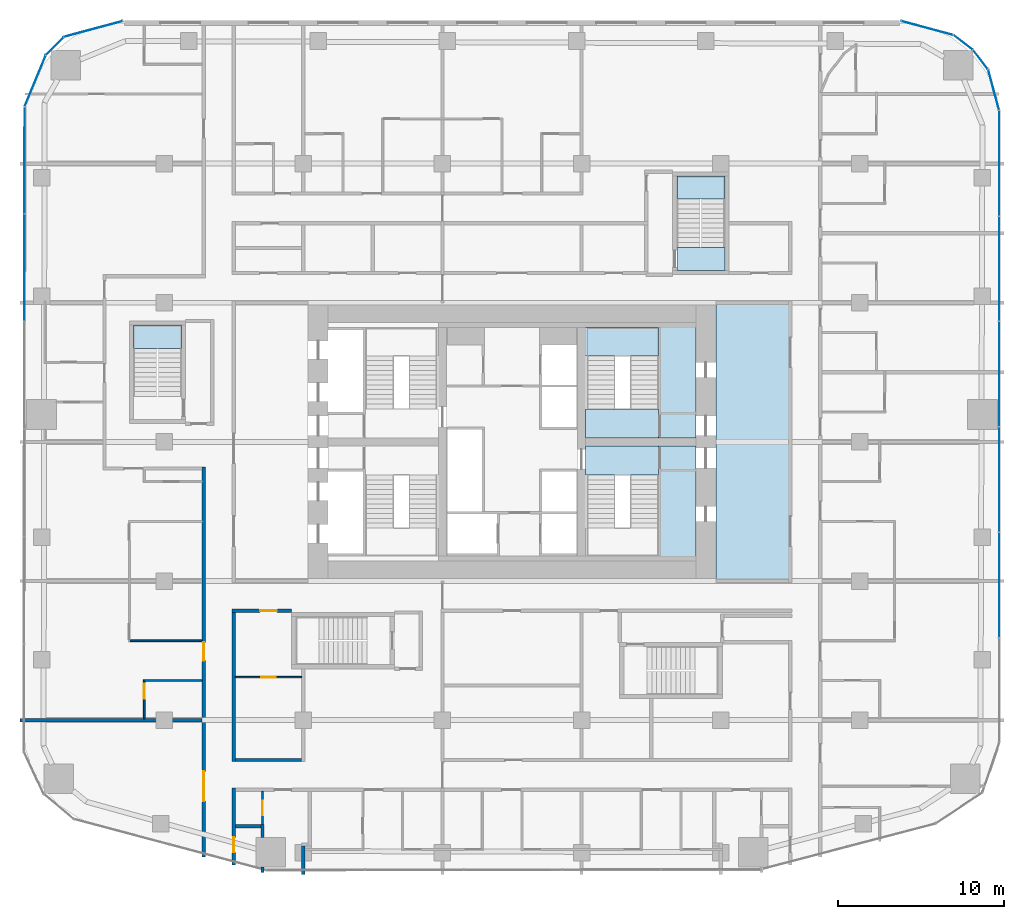
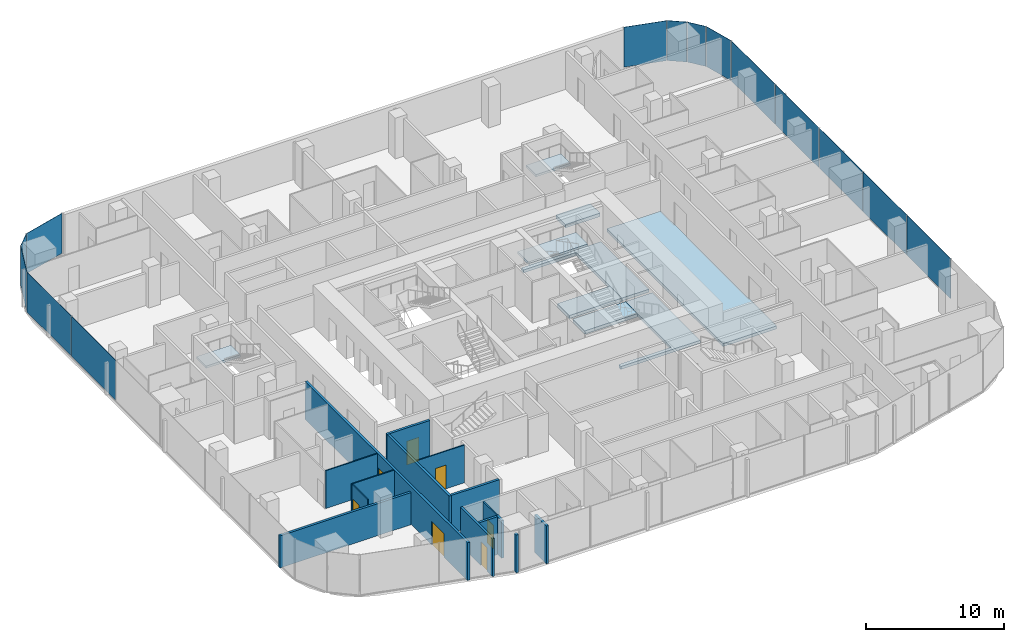
# One storey, part 15 of 25: 15 walls, 14 plates, 9 slabs, 7 doors, 7 openings, 12 elements without a shape of their own.
"""IFC4 building model written with IfcOpenShell, lengths in metres."""

from ifc_helpers import new_model, si_unit, direction, frame, frame_2d, origin, origin_2d, place, context, subcontext, project, spatial, polyline, rectangle, outline, extrude, material, layer, layer_set, type_object, element, fill, aggregate, save


model = new_model("IFC4")

# Units and contexts
model_context = context("Model", 3, precision=1e-05, world=origin(), true_north=direction((0.0, 1.0)))
body_context = subcontext(model_context, "Body", "Model", "MODEL_VIEW")
ifc_project = project(units=[si_unit("LENGTHUNIT", "METRE"), si_unit("AREAUNIT", "SQUARE_METRE"), si_unit("VOLUMEUNIT", "CUBIC_METRE"), si_unit("PLANEANGLEUNIT", "RADIAN"), si_unit("MASSUNIT", "GRAM", prefix="KILO")], contexts=[model_context])

# Site, building, storey
site_placement = place(None, origin())
site = spatial("IfcSite", under=ifc_project, at=site_placement, CompositionType="ELEMENT")
building_placement = place(site_placement, origin())
building = spatial("IfcBuilding", under=site, at=building_placement, Name="Marenta Gate Hotel Tower", CompositionType="ELEMENT")
storey_placement = place(building_placement, frame((0.0, 0.0, 50.89990234375)))
storey = spatial("IfcBuildingStorey", under=building, at=storey_placement, Name="L10", CompositionType="ELEMENT", Elevation=50.89990234375)

# Slabs
ifc_material_1 = material(Name="Concrete C40", Category="concrete")
ifc_layer_1 = layer(ifc_material_1, 0.260009765625)
ifc_layer_set_1 = layer_set([ifc_layer_1], Name="Concrete C40")
slab_type_1 = type_object("IfcSlabType", Name="Core floor slab 260", PredefinedType="FLOOR", material=ifc_layer_set_1)
slab_1_placement = place(storey_placement, frame((0.0, 0.0, -0.260009765625)))
element("IfcSlab", 1, at=slab_1_placement, inside=storey, type_object=slab_type_1, Name="L10-CF-1", PredefinedType="FLOOR", context=body_context, shape_type="SweptSolid", body=[
    extrude(outline(polyline([(12.300048828125, 0.0), (12.300048828125, 16.800048828125), (16.800048828125, 16.800048828125), (16.800048828125, 0.0), (12.300048828125, 0.0)])), origin(), (0.0, 0.0, 1.0), 0.260009765625),
])
slab_2_placement = place(storey_placement, frame((0.0, 0.0, -0.260009765625)))
element("IfcSlab", 2, at=slab_2_placement, inside=storey, type_object=slab_type_1, Name="L10-CF-2", PredefinedType="FLOOR", context=body_context, shape_type="SweptSolid", body=[
    extrude(outline(polyline([(8.85009765625, 1.5), (8.85009765625, 6.39990234375), (8.85009765625, 8.10009765625), (8.85009765625, 8.14990234375), (11.10009765625, 8.14990234375), (11.10009765625, 1.199951171875), (4.449951171875, 1.199951171875), (4.449951171875, 1.5), (8.85009765625, 1.5)])), origin(), (0.0, 0.0, 1.0), 0.260009765625),
])
slab_3_placement = place(storey_placement, frame((0.0, 0.0, -0.260009765625)))
element("IfcSlab", 3, at=slab_3_placement, inside=storey, type_object=slab_type_1, Name="L10-CF-3", PredefinedType="FLOOR", context=body_context, shape_type="SweptSolid", body=[
    extrude(outline(polyline([(8.85009765625, 15.300048828125), (4.449951171875, 15.300048828125), (4.449951171875, 15.60009765625), (11.10009765625, 15.60009765625), (11.10009765625, 8.64990234375), (8.85009765625, 8.64990234375), (8.85009765625, 8.699951171875), (8.85009765625, 10.39990234375), (8.85009765625, 15.300048828125)])), origin(), (0.0, 0.0, 1.0), 0.260009765625),
])

# Stair, slab
ifc_material_2 = material(Name="Concrete C40", Category="concrete")
stair_type_1 = type_object("IfcStairType", Name="Core exit stair 1700 wide", PredefinedType="HALF_TURN_STAIR", material=ifc_material_2)
stair_1_placement = place(storey_placement, origin())
stair_1 = element("IfcStair", 4, at=stair_1_placement, inside=storey, type_object=stair_type_1, Name="Exit stair 4", PredefinedType="HALF_TURN_STAIR")
ifc_material_3 = material(Name="Concrete C40", Category="concrete")
ifc_layer_2 = layer(ifc_material_3, 0.199951171875)
ifc_layer_set_2 = layer_set([ifc_layer_2], Name="Concrete C40")
slab_type_2 = type_object("IfcSlabType", Name="Core stair landing 200", PredefinedType="LANDING", material=ifc_layer_set_2)
slab_4_placement = place(storey_placement, frame((0.0, 0.0, 1.60009765625)))
slab_4 = element("IfcSlab", 5, at=slab_4_placement, type_object=slab_type_2, Name="SL-200 ST4 landing 1", PredefinedType="LANDING", context=body_context, shape_type="SweptSolid", body=[
    extrude(outline(polyline([(3.949951171875, 13.590087890625), (8.85009765625, 13.590087890625), (8.85009765625, 15.300048828125), (3.949951171875, 15.300048828125), (3.949951171875, 13.590087890625)])), origin(), (0.0, 0.0, 1.0), 0.199951171875),
])
aggregate(stair_1, [slab_4])

# Curtain wall, plate
ifc_material_4 = material(Name="Tinted insulated glass in bronze anodised frame", Category="glass")
ifc_layer_3 = layer(ifc_material_4, 0.1201171875)
ifc_layer_set_3 = layer_set([ifc_layer_3], Name="Tinted insulated glass in bronze anodised frame")
curtain_wall_type = type_object("IfcCurtainWallType", Name="Tower unitised curtain wall CW1", PredefinedType="NOTDEFINED", material=ifc_layer_set_3)
curtain_wall_1_placement = place(storey_placement, origin())
curtain_wall_1 = element("IfcCurtainWall", 6, at=curtain_wall_1_placement, inside=storey, type_object=curtain_wall_type, Name="CW1 run G00", PredefinedType="NOTDEFINED")
ifc_material_5 = material(Name="Tinted insulated glass", Category="glass")
ifc_layer_4 = layer(ifc_material_5, 0.028076171875)
ifc_layer_set_4 = layer_set([ifc_layer_4], Name="Tinted insulated glass")
plate_type = type_object("IfcPlateType", Name="Glass panel CW1 28 mm tinted insulated unit", PredefinedType="CURTAIN_PANEL", material=ifc_layer_set_4)
plate_1_placement = place(storey_placement, frame((-25.277099609375, 33.3232421875, 0.06005859375), z_axis=(0.0, 0.0, 1.0), x_axis=(-0.965930485164, -0.258801657317, 0.0)))
plate_1 = element("IfcPlate", 7, at=plate_1_placement, type_object=plate_type, Name="CW1 panel 1.1", PredefinedType="CURTAIN_PANEL", context=body_context, shape_type="SweptSolid", body=[
    extrude(rectangle(XDim=3.64990234375, YDim=0.028076171875, at=origin_2d()), origin(), (0.0, 0.0, 1.0), 3.5400390625),
])
aggregate(curtain_wall_1, [plate_1])

curtain_wall_2_placement = place(storey_placement, origin())
curtain_wall_2 = element("IfcCurtainWall", 8, at=curtain_wall_2_placement, inside=storey, type_object=curtain_wall_type, Name="CW1 run G01", PredefinedType="NOTDEFINED")
plate_2_placement = place(storey_placement, frame((-27.606689453125, 32.2841796875, 0.06005859375), z_axis=(0.0, 0.0, 1.0), x_axis=(-0.707106781187, -0.707106781187, 0.0)))
plate_2 = element("IfcPlate", 9, at=plate_2_placement, type_object=plate_type, Name="CW1 panel 1.1", PredefinedType="CURTAIN_PANEL", context=body_context, shape_type="SweptSolid", body=[
    extrude(rectangle(XDim=1.48291015625, YDim=0.028076171875, at=origin_2d()), origin(), (0.0, 0.0, 1.0), 3.5400390625),
])
aggregate(curtain_wall_2, [plate_2])

curtain_wall_3_placement = place(storey_placement, origin())
curtain_wall_3 = element("IfcCurtainWall", 10, at=curtain_wall_3_placement, inside=storey, type_object=curtain_wall_type, Name="CW1 run G02", PredefinedType="NOTDEFINED")
plate_3_placement = place(storey_placement, frame((-28.783203125, 30.185302734375, 0.06005859375), z_axis=(0.0, 0.0, 1.0), x_axis=(-0.382670050581, -0.923885075314, 0.0)))
plate_3 = element("IfcPlate", 11, at=plate_3_placement, type_object=plate_type, Name="CW1 panel 1.1", PredefinedType="CURTAIN_PANEL", context=body_context, shape_type="SweptSolid", body=[
    extrude(rectangle(XDim=3.28857421875, YDim=0.028076171875, at=origin_2d()), origin(), (0.0, 0.0, 1.0), 3.5400390625),
])
aggregate(curtain_wall_3, [plate_3])

# Curtain wall, plates
curtain_wall_4_placement = place(storey_placement, origin())
curtain_wall_4 = element("IfcCurtainWall", 12, at=curtain_wall_4_placement, inside=storey, type_object=curtain_wall_type, Name="CW1 run G03", PredefinedType="NOTDEFINED")
plate_4_placement = place(storey_placement, frame((-29.41748046875, 25.406005859375, 0.06005859375), z_axis=(0.0, 0.0, 1.0), x_axis=(-0.00156642217, -0.99999877316, 0.0)))
plate_4 = element("IfcPlate", 13, at=plate_4_placement, type_object=plate_type, Name="CW1 panel 1.1", PredefinedType="CURTAIN_PANEL", context=body_context, shape_type="SweptSolid", body=[
    extrude(rectangle(XDim=6.400390625, YDim=0.028076171875, at=origin_2d()), origin(), (0.0, 0.0, 1.0), 3.5400390625),
])
plate_5_placement = place(storey_placement, frame((-29.427490234375, 18.9306640625, 0.06005859375), z_axis=(0.0, 0.0, 1.0), x_axis=(-0.00156642217, -0.99999877316, 0.0)))
plate_5 = element("IfcPlate", 14, at=plate_5_placement, type_object=plate_type, Name="CW1 panel 2.1", PredefinedType="CURTAIN_PANEL", context=body_context, shape_type="SweptSolid", body=[
    extrude(rectangle(XDim=6.430419921875, YDim=0.028076171875, at=origin_2d()), origin(), (0.0, 0.0, 1.0), 3.5400390625),
])
aggregate(curtain_wall_4, [plate_4, plate_5])

curtain_wall_5_placement = place(storey_placement, origin())
curtain_wall_5 = element("IfcCurtainWall", 15, at=curtain_wall_5_placement, inside=storey, type_object=curtain_wall_type, Name="CW1 run G11", PredefinedType="NOTDEFINED")
plate_6_placement = place(storey_placement, frame((29.4140625, -0.22802734375, 0.06005859375), z_axis=(0.0, 0.0, 1.0), x_axis=(0.0, 1.0, 0.0)))
plate_6 = element("IfcPlate", 16, at=plate_6_placement, type_object=plate_type, Name="CW1 panel 2.1", PredefinedType="CURTAIN_PANEL", context=body_context, shape_type="SweptSolid", body=[
    extrude(rectangle(XDim=6.300048828125, YDim=0.028076171875, at=origin_2d()), origin(), (0.0, 0.0, 1.0), 3.5400390625),
])
plate_7_placement = place(storey_placement, frame((29.4140625, 6.132080078125, 0.06005859375), z_axis=(0.0, 0.0, 1.0), x_axis=(0.0, 1.0, 0.0)))
plate_7 = element("IfcPlate", 17, at=plate_7_placement, type_object=plate_type, Name="CW1 panel 3.1", PredefinedType="CURTAIN_PANEL", context=body_context, shape_type="SweptSolid", body=[
    extrude(rectangle(XDim=6.300048828125, YDim=0.028076171875, at=origin_2d()), origin(), (0.0, 0.0, 1.0), 3.5400390625),
])
plate_8_placement = place(storey_placement, frame((29.4140625, 12.491943359375, 0.06005859375), z_axis=(0.0, 0.0, 1.0), x_axis=(0.0, 1.0, 0.0)))
plate_8 = element("IfcPlate", 18, at=plate_8_placement, type_object=plate_type, Name="CW1 panel 4.1", PredefinedType="CURTAIN_PANEL", context=body_context, shape_type="SweptSolid", body=[
    extrude(rectangle(XDim=6.300048828125, YDim=0.028076171875, at=origin_2d()), origin(), (0.0, 0.0, 1.0), 3.5400390625),
])
plate_9_placement = place(storey_placement, frame((29.4140625, 18.851806640625, 0.06005859375), z_axis=(0.0, 0.0, 1.0), x_axis=(0.0, 1.0, 0.0)))
plate_9 = element("IfcPlate", 19, at=plate_9_placement, type_object=plate_type, Name="CW1 panel 5.1", PredefinedType="CURTAIN_PANEL", context=body_context, shape_type="SweptSolid", body=[
    extrude(rectangle(XDim=6.300048828125, YDim=0.028076171875, at=origin_2d()), origin(), (0.0, 0.0, 1.0), 3.5400390625),
])
plate_10_placement = place(storey_placement, frame((29.4140625, 25.226806640625, 0.06005859375), z_axis=(0.0, 0.0, 1.0), x_axis=(0.0, 1.0, 0.0)))
plate_10 = element("IfcPlate", 20, at=plate_10_placement, type_object=plate_type, Name="CW1 panel 6.1", PredefinedType="CURTAIN_PANEL", context=body_context, shape_type="SweptSolid", body=[
    extrude(rectangle(XDim=6.330078125, YDim=0.028076171875, at=origin_2d()), origin(), (0.0, 0.0, 1.0), 3.5400390625),
])
aggregate(curtain_wall_5, [plate_6, plate_7, plate_8, plate_9, plate_10])

# Curtain wall, plate
curtain_wall_6_placement = place(storey_placement, origin())
curtain_wall_6 = element("IfcCurtainWall", 21, at=curtain_wall_6_placement, inside=storey, type_object=curtain_wall_type, Name="CW1 run G12", PredefinedType="NOTDEFINED")
plate_11_placement = place(storey_placement, frame((29.074951171875, 29.657470703125, 0.06005859375), z_axis=(0.0, 0.0, 1.0), x_axis=(-0.258821981125, 0.965925039579, 0.0)))
plate_11 = element("IfcPlate", 22, at=plate_11_placement, type_object=plate_type, Name="CW1 panel 1.1", PredefinedType="CURTAIN_PANEL", context=body_context, shape_type="SweptSolid", body=[
    extrude(rectangle(XDim=2.50048828125, YDim=0.028076171875, at=origin_2d()), origin(), (0.0, 0.0, 1.0), 3.5400390625),
])
aggregate(curtain_wall_6, [plate_11])

curtain_wall_7_placement = place(storey_placement, origin())
curtain_wall_7 = element("IfcCurtainWall", 23, at=curtain_wall_7_placement, inside=storey, type_object=curtain_wall_type, Name="CW1 run G13", PredefinedType="NOTDEFINED")
plate_12_placement = place(storey_placement, frame((28.280029296875, 31.47900390625, 0.06005859375), z_axis=(0.0, 0.0, 1.0), x_axis=(-0.608781405318, 0.79333801153, 0.0)))
plate_12 = element("IfcPlate", 24, at=plate_12_placement, type_object=plate_type, Name="CW1 panel 1.1", PredefinedType="CURTAIN_PANEL", context=body_context, shape_type="SweptSolid", body=[
    extrude(rectangle(XDim=1.427978515625, YDim=0.028076171875, at=origin_2d()), origin(), (0.0, 0.0, 1.0), 3.5400390625),
])
aggregate(curtain_wall_7, [plate_12])

curtain_wall_8_placement = place(storey_placement, origin())
curtain_wall_8 = element("IfcCurtainWall", 25, at=curtain_wall_8_placement, inside=storey, type_object=curtain_wall_type, Name="CW1 run G14", PredefinedType="NOTDEFINED")
plate_13_placement = place(storey_placement, frame((27.2314453125, 32.5166015625, 0.06005859375), z_axis=(0.0, 0.0, 1.0), x_axis=(-0.79333801153, 0.608781405318, 0.0)))
plate_13 = element("IfcPlate", 26, at=plate_13_placement, type_object=plate_type, Name="CW1 panel 1.1", PredefinedType="CURTAIN_PANEL", context=body_context, shape_type="SweptSolid", body=[
    extrude(rectangle(XDim=1.427978515625, YDim=0.028076171875, at=origin_2d()), origin(), (0.0, 0.0, 1.0), 3.5400390625),
])
aggregate(curtain_wall_8, [plate_13])

curtain_wall_9_placement = place(storey_placement, origin())
curtain_wall_9 = element("IfcCurtainWall", 27, at=curtain_wall_9_placement, inside=storey, type_object=curtain_wall_type, Name="CW1 run G15", PredefinedType="NOTDEFINED")
plate_14_placement = place(storey_placement, frame((25.060791015625, 33.381103515625, 0.06005859375), z_axis=(0.0, 0.0, 1.0), x_axis=(-0.965928970532, 0.258807310344, 0.0)))
plate_14 = element("IfcPlate", 28, at=plate_14_placement, type_object=plate_type, Name="CW1 panel 1.1", PredefinedType="CURTAIN_PANEL", context=body_context, shape_type="SweptSolid", body=[
    extrude(rectangle(XDim=3.20166015625, YDim=0.028076171875, at=origin_2d()), origin(), (0.0, 0.0, 1.0), 3.5400390625),
])
aggregate(curtain_wall_9, [plate_14])

# Stair, slab
ifc_material_6 = material(Name="Concrete C40", Category="concrete")
stair_type_2 = type_object("IfcStairType", Name="Remote exit stair 1400 wide", PredefinedType="HALF_TURN_STAIR", material=ifc_material_6)
stair_2_placement = place(storey_placement, origin())
stair_2 = element("IfcStair", 29, at=stair_2_placement, inside=storey, type_object=stair_type_2, Name="Exit stair RS-Z1-3", PredefinedType="HALF_TURN_STAIR")
ifc_material_7 = material(Name="Concrete C40", Category="concrete")
ifc_layer_5 = layer(ifc_material_7, 0.199951171875)
ifc_layer_set_5 = layer_set([ifc_layer_5], Name="Concrete C40")
slab_type_3 = type_object("IfcSlabType", Name="Remote stair landing 200", PredefinedType="LANDING", material=ifc_layer_set_5)
slab_5_placement = place(storey_placement, frame((0.0, 0.0, 1.60009765625)))
slab_5 = element("IfcSlab", 30, at=slab_5_placement, type_object=slab_type_3, Name="RL-200 RS-Z1-3 landing 1", PredefinedType="LANDING", context=body_context, shape_type="SweptSolid", body=[
    extrude(outline(polyline([(-22.85009765625, 14.050048828125), (-19.949951171875, 14.050048828125), (-19.949951171875, 15.449951171875), (-22.85009765625, 15.449951171875), (-22.85009765625, 14.050048828125)])), origin(), (0.0, 0.0, 1.0), 0.199951171875),
])
aggregate(stair_2, [slab_5])

stair_3_placement = place(storey_placement, origin())
stair_3 = element("IfcStair", 31, at=stair_3_placement, inside=storey, type_object=stair_type_2, Name="Exit stair RS-Z1-4", PredefinedType="HALF_TURN_STAIR")
slab_6_placement = place(storey_placement, frame((0.0, 0.0, 1.60009765625)))
slab_6 = element("IfcSlab", 32, at=slab_6_placement, type_object=slab_type_3, Name="RL-200 RS-Z1-4 landing 1", PredefinedType="LANDING", context=body_context, shape_type="SweptSolid", body=[
    extrude(outline(polyline([(9.949951171875, 23.050048828125), (12.85009765625, 23.050048828125), (12.85009765625, 24.449951171875), (9.949951171875, 24.449951171875), (9.949951171875, 23.050048828125)])), origin(), (0.0, 0.0, 1.0), 0.199951171875),
])
aggregate(stair_3, [slab_6])

# Slabs
ifc_material_8 = material(Name="Concrete C40", Category="concrete")
ifc_layer_6 = layer(ifc_material_8, 0.300048828125)
ifc_layer_set_6 = layer_set([ifc_layer_6], Name="Concrete C40")
slab_type_4 = type_object("IfcSlabType", Name="Stair floor landing slab 300", PredefinedType="FLOOR", material=ifc_layer_set_6)
slab_7_placement = place(storey_placement, frame((0.0, 0.0, -0.2998046875)))
element("IfcSlab", 33, at=slab_7_placement, inside=storey, type_object=slab_type_4, Name="L10-CL-ST3-1", PredefinedType="FLOOR", context=body_context, shape_type="SweptSolid", body=[
    extrude(outline(polyline([(4.449951171875, 6.39990234375), (4.449951171875, 8.14990234375), (8.85009765625, 8.14990234375), (8.85009765625, 8.10009765625), (8.85009765625, 6.39990234375), (4.449951171875, 6.39990234375)])), origin(), (0.0, 0.0, 1.0), 0.2998046875),
])
slab_8_placement = place(storey_placement, frame((0.0, 0.0, -0.2998046875)))
element("IfcSlab", 34, at=slab_8_placement, inside=storey, type_object=slab_type_4, Name="L10-CL-ST4-1", PredefinedType="FLOOR", context=body_context, shape_type="SweptSolid", body=[
    extrude(outline(polyline([(4.449951171875, 8.64990234375), (4.449951171875, 10.39990234375), (8.85009765625, 10.39990234375), (8.85009765625, 8.699951171875), (8.85009765625, 8.64990234375), (4.449951171875, 8.64990234375)])), origin(), (0.0, 0.0, 1.0), 0.2998046875),
])
slab_9_placement = place(storey_placement, frame((0.0, 0.0, -0.2998046875)))
element("IfcSlab", 35, at=slab_9_placement, inside=storey, type_object=slab_type_4, Name="L10-RS-Z1-4-CL", PredefinedType="FLOOR", context=body_context, shape_type="SweptSolid", body=[
    extrude(outline(polyline([(12.85009765625, 18.75), (12.85009765625, 20.14990234375), (9.949951171875, 20.14990234375), (9.949951171875, 18.75), (12.85009765625, 18.75)])), origin(), (0.0, 0.0, 1.0), 0.2998046875),
])

# Wall, opening, door
ifc_material_9 = material(Name="Concrete blockwork", Category="masonry")
ifc_layer_7 = layer(ifc_material_9, 0.199951171875)
ifc_layer_set_7 = layer_set([ifc_layer_7], Name="Concrete blockwork")
wall_type_1 = type_object("IfcWallType", Name="Room corridor wall 200 EI 120", PredefinedType="PARTITIONING", material=ifc_layer_set_7)
wall_1_placement = place(storey_placement, frame((-16.800048828125, -17.14306640625, 0.0), z_axis=(0.0, 0.0, 1.0), x_axis=(0.0, 1.0, 0.0)))
wall_1 = element("IfcWall", 36, at=wall_1_placement, inside=storey, type_object=wall_type_1, Name="L10-PTN-W099", PredefinedType="PARTITIONING", context=body_context, shape_type="SweptSolid", body=[
    extrude(rectangle(XDim=4.64306640625, YDim=0.199951171875, at=frame_2d((2.321533203125, 0.0))), origin(), (0.0, 0.0, 1.0), 3.340087890625),
])
opening_1_placement = place(wall_1_placement, frame((0.77197265625, 0.0, 0.0)))
opening_1 = element("IfcOpeningElement", 37, at=opening_1_placement, cuts=wall_1, Name="Opening G03-72", PredefinedType="OPENING", context=body_context, shape_type="SweptSolid", body=[
    extrude(rectangle(XDim=0.89990234375, YDim=2.10009765625, at=frame_2d((0.449951171875, 1.050048828125))), frame((0.0, 0.10009765625, 0.0), z_axis=(0.0, -1.0, 0.0), x_axis=(1.0, 0.0, 0.0)), (0.0, 0.0, 1.0), 0.199951171875),
])
ifc_material_10 = material(Name="Hollow steel door set", Category="steel")
door_type_1 = type_object("IfcDoorType", Name="Room service door 900x2100 EI 60", OperationType="NOTDEFINED", PredefinedType="DOOR", material=ifc_material_10)
door_1_placement = place(opening_1_placement, origin())
door_1 = element("IfcDoor", 38, at=door_1_placement, inside=storey, type_object=door_type_1, Name="L10-PD-D072", OperationType="SINGLE_SWING_LEFT", OverallHeight=2.10009765625, OverallWidth=0.89990234375, PredefinedType="DOOR", context=body_context, shape_type="SweptSolid", body=[
    extrude(rectangle(XDim=0.89990234375, YDim=2.10009765625, at=frame_2d((0.449951171875, 1.050048828125))), frame((0.0, 0.02490234375, 0.0), z_axis=(0.0, -1.0, 0.0), x_axis=(1.0, 0.0, 0.0)), (0.0, 0.0, 1.0), 0.050048828125),
])
fill(opening_1, door_1)

# Wall
ifc_material_11 = material(Name="Gypsum board on steel stud", Category="steel")
ifc_layer_8 = layer(ifc_material_11, 0.199951171875)
ifc_layer_set_8 = layer_set([ifc_layer_8], Name="Gypsum board on steel stud")
wall_type_2 = type_object("IfcWallType", Name="Room corridor wall 200 EI 60", PredefinedType="PARTITIONING", material=ifc_layer_set_8)
wall_2_placement = place(storey_placement, frame((-16.699951171875, -10.800048828125, 0.0), z_axis=(0.0, 0.0, 1.0), x_axis=(1.0, 0.0, 0.0)))
element("IfcWall", 39, at=wall_2_placement, inside=storey, type_object=wall_type_2, Name="L10-PTN-W031", PredefinedType="PARTITIONING", context=body_context, shape_type="SweptSolid", body=[
    extrude(rectangle(XDim=4.0, YDim=0.199951171875, at=frame_2d((2.0, 0.0))), origin(), (0.0, 0.0, 1.0), 3.340087890625),
])

# Wall, opening, door
wall_3_placement = place(storey_placement, frame((-16.89990234375, -1.800048828125, 0.0), z_axis=(0.0, 0.0, 1.0), x_axis=(1.0, 0.0, 0.0)))
wall_3 = element("IfcWall", 40, at=wall_3_placement, inside=storey, type_object=wall_type_2, Name="L10-PTN-W057", PredefinedType="PARTITIONING", context=body_context, shape_type="SweptSolid", body=[
    extrude(rectangle(XDim=3.599853515625, YDim=0.199951171875, at=frame_2d((1.7998046875, 0.0))), origin(), (0.0, 0.0, 1.0), 3.340087890625),
])
opening_2_placement = place(wall_3_placement, frame((1.699951171875, 0.0, 0.0)))
opening_2 = element("IfcOpeningElement", 41, at=opening_2_placement, cuts=wall_3, Name="Opening G03-04", PredefinedType="OPENING", context=body_context, shape_type="SweptSolid", body=[
    extrude(rectangle(XDim=1.0, YDim=2.10009765625, at=frame_2d((0.5, 1.050048828125))), frame((0.0, 0.10009765625, 0.0), z_axis=(0.0, -1.0, 0.0), x_axis=(1.0, 0.0, 0.0)), (0.0, 0.0, 1.0), 0.199951171875),
])
ifc_material_12 = material(Name="Hollow steel door set", Category="steel")
door_type_2 = type_object("IfcDoorType", Name="Room service door 1000x2100 EI 30", OperationType="NOTDEFINED", PredefinedType="DOOR", material=ifc_material_12)
door_2_placement = place(opening_2_placement, origin())
door_2 = element("IfcDoor", 42, at=door_2_placement, inside=storey, type_object=door_type_2, Name="L10-PD-D004", OperationType="SINGLE_SWING_RIGHT", OverallHeight=2.10009765625, OverallWidth=1.0, PredefinedType="DOOR", context=body_context, shape_type="SweptSolid", body=[
    extrude(rectangle(XDim=1.0, YDim=2.10009765625, at=frame_2d((0.5, 1.050048828125))), frame((0.0, 0.02490234375, 0.0), z_axis=(0.0, -1.0, 0.0), x_axis=(1.0, 0.0, 0.0)), (0.0, 0.0, 1.0), 0.050048828125),
])
fill(opening_2, door_2)

# Wall
wall_4_placement = place(storey_placement, frame((-16.800048828125, -10.89990234375, 0.0), z_axis=(0.0, 0.0, 1.0), x_axis=(0.0, 1.0, 0.0)))
element("IfcWall", 43, at=wall_4_placement, inside=storey, type_object=wall_type_2, Name="L10-PTN-W100", PredefinedType="PARTITIONING", context=body_context, shape_type="SweptSolid", body=[
    extrude(rectangle(XDim=9.0, YDim=0.199951171875, at=frame_2d((4.5, 0.0))), origin(), (0.0, 0.0, 1.0), 3.340087890625),
])

# Wall, openings, doors
wall_5_placement = place(storey_placement, frame((-18.60009765625, -16.6650390625, 0.0), z_axis=(0.0, 0.0, 1.0), x_axis=(0.0, 1.0, 0.0)))
wall_5 = element("IfcWall", 44, at=wall_5_placement, inside=storey, type_object=wall_type_2, Name="L10-PTN-W108", PredefinedType="PARTITIONING", context=body_context, shape_type="SweptSolid", body=[
    extrude(rectangle(XDim=23.56494140625, YDim=0.199951171875, at=frame_2d((11.782470703125, 0.0))), origin(), (0.0, 0.0, 1.0), 3.340087890625),
])
opening_3_placement = place(wall_5_placement, frame((3.382080078125, 0.0, 0.0)))
opening_3 = element("IfcOpeningElement", 45, at=opening_3_placement, cuts=wall_5, Name="Opening G03-45", PredefinedType="OPENING", context=body_context, shape_type="SweptSolid", body=[
    extrude(rectangle(XDim=1.800048828125, YDim=2.10009765625, at=frame_2d((0.89990234375, 1.050048828125))), frame((0.0, 0.10009765625, 0.0), z_axis=(0.0, -1.0, 0.0), x_axis=(1.0, 0.0, 0.0)), (0.0, 0.0, 1.0), 0.199951171875),
])
opening_4_placement = place(wall_5_placement, frame((11.864990234375, 0.0, 0.0)))
opening_4 = element("IfcOpeningElement", 46, at=opening_4_placement, cuts=wall_5, Name="Opening G03-46", PredefinedType="OPENING", context=body_context, shape_type="SweptSolid", body=[
    extrude(rectangle(XDim=1.10009765625, YDim=2.10009765625, at=frame_2d((0.550048828125, 1.050048828125))), frame((0.0, 0.10009765625, 0.0), z_axis=(0.0, -1.0, 0.0), x_axis=(1.0, 0.0, 0.0)), (0.0, 0.0, 1.0), 0.199951171875),
])
ifc_material_13 = material(Name="Timber door leaf", Category="wood")
door_type_3 = type_object("IfcDoorType", Name="Guest room door 1100x2100 EI 30", OperationType="NOTDEFINED", PredefinedType="DOOR", material=ifc_material_13)
door_3_placement = place(opening_4_placement, origin())
door_3 = element("IfcDoor", 47, at=door_3_placement, inside=storey, type_object=door_type_3, Name="L10-PD-D046", OperationType="SINGLE_SWING_RIGHT", OverallHeight=2.10009765625, OverallWidth=1.10009765625, PredefinedType="DOOR", context=body_context, shape_type="SweptSolid", body=[
    extrude(rectangle(XDim=1.10009765625, YDim=2.10009765625, at=frame_2d((0.550048828125, 1.050048828125))), frame((0.0, 0.02490234375, 0.0), z_axis=(0.0, -1.0, 0.0), x_axis=(1.0, 0.0, 0.0)), (0.0, 0.0, 1.0), 0.050048828125),
])
fill(opening_4, door_3)
ifc_material_14 = material(Name="Timber door leaf", Category="wood")
door_type_4 = type_object("IfcDoorType", Name="Room amenity door 1800x2100 EI 30", OperationType="DOUBLE_DOOR_SINGLE_SWING", PredefinedType="DOOR", material=ifc_material_14)
door_4_placement = place(opening_3_placement, origin())
door_4 = element("IfcDoor", 48, at=door_4_placement, inside=storey, type_object=door_type_4, Name="L10-PD-D045", OperationType="DOUBLE_DOOR_SINGLE_SWING", OverallHeight=2.10009765625, OverallWidth=1.800048828125, PredefinedType="DOOR", context=body_context, shape_type="SweptSolid", body=[
    extrude(rectangle(XDim=1.800048828125, YDim=2.10009765625, at=frame_2d((0.89990234375, 1.050048828125))), frame((0.0, 0.02490234375, 0.0), z_axis=(0.0, -1.0, 0.0), x_axis=(1.0, 0.0, 0.0)), (0.0, 0.0, 1.0), 0.050048828125),
])
fill(opening_3, door_4)

# Wall
ifc_material_15 = material(Name="Gypsum board on steel stud", Category="steel")
ifc_layer_9 = layer(ifc_material_15, 0.10009765625)
ifc_layer_set_9 = layer_set([ifc_layer_9], Name="Gypsum board on steel stud")
wall_type_3 = type_object("IfcWallType", Name="Room partition 100", PredefinedType="PARTITIONING", material=ifc_layer_set_9)
wall_6_placement = place(storey_placement, frame((-22.25, -6.0, 0.0), z_axis=(0.0, 0.0, 1.0), x_axis=(1.0, 0.0, 0.0)))
element("IfcWall", 49, at=wall_6_placement, inside=storey, type_object=wall_type_3, Name="L10-PTN-W042", PredefinedType="PARTITIONING", context=body_context, shape_type="SweptSolid", body=[
    extrude(rectangle(XDim=3.550048828125, YDim=0.10009765625, at=frame_2d((1.77490234375, 0.0))), origin(), (0.0, 0.0, 1.0), 3.340087890625),
])

# Wall, opening, door
wall_7_placement = place(storey_placement, frame((-16.699951171875, -5.800048828125, 0.0), z_axis=(0.0, 0.0, 1.0), x_axis=(1.0, 0.0, 0.0)))
wall_7 = element("IfcWall", 50, at=wall_7_placement, inside=storey, type_object=wall_type_3, Name="L10-PTN-W045", PredefinedType="PARTITIONING", context=body_context, shape_type="SweptSolid", body=[
    extrude(rectangle(XDim=4.0, YDim=0.10009765625, at=frame_2d((2.0, 0.0))), origin(), (0.0, 0.0, 1.0), 3.340087890625),
])
opening_5_placement = place(wall_7_placement, frame((1.550048828125, 0.0, 0.0)))
opening_5 = element("IfcOpeningElement", 51, at=opening_5_placement, cuts=wall_7, Name="Opening G03-05", PredefinedType="OPENING", context=body_context, shape_type="SweptSolid", body=[
    extrude(rectangle(XDim=0.89990234375, YDim=2.10009765625, at=frame_2d((0.449951171875, 1.050048828125))), frame((0.0, 0.050048828125, 0.0), z_axis=(0.0, -1.0, 0.0), x_axis=(1.0, 0.0, 0.0)), (0.0, 0.0, 1.0), 0.10009765625),
])
ifc_material_16 = material(Name="Timber door leaf", Category="wood")
door_type_5 = type_object("IfcDoorType", Name="Room inner door 900x2100", OperationType="NOTDEFINED", PredefinedType="DOOR", material=ifc_material_16)
door_5_placement = place(opening_5_placement, origin())
door_5 = element("IfcDoor", 52, at=door_5_placement, inside=storey, type_object=door_type_5, Name="L10-PD-D005", OperationType="SINGLE_SWING_LEFT", OverallHeight=2.10009765625, OverallWidth=0.89990234375, PredefinedType="DOOR", context=body_context, shape_type="SweptSolid", body=[
    extrude(rectangle(XDim=0.89990234375, YDim=2.10009765625, at=frame_2d((0.449951171875, 1.050048828125))), frame((0.0, 0.02490234375, 0.0), z_axis=(0.0, -1.0, 0.0), x_axis=(1.0, 0.0, 0.0)), (0.0, 0.0, 1.0), 0.050048828125),
])
fill(opening_5, door_5)

# Wall
wall_8_placement = place(storey_placement, frame((-23.050048828125, -3.60009765625, 0.0), z_axis=(0.0, 0.0, 1.0), x_axis=(1.0, 0.0, 0.0)))
element("IfcWall", 53, at=wall_8_placement, inside=storey, type_object=wall_type_3, Name="L10-PTN-W052", PredefinedType="PARTITIONING", context=body_context, shape_type="SweptSolid", body=[
    extrude(rectangle(XDim=4.35009765625, YDim=0.10009765625, at=frame_2d((2.175048828125, 0.0))), origin(), (0.0, 0.0, 1.0), 3.340087890625),
])

# Wall, opening, door
wall_9_placement = place(storey_placement, frame((-15.06591796875, -14.89990234375, 0.0), z_axis=(0.0, 0.0, 1.0), x_axis=(0.0, 1.0, 0.0)))
wall_9 = element("IfcWall", 54, at=wall_9_placement, inside=storey, type_object=wall_type_3, Name="L10-PTN-W097", PredefinedType="PARTITIONING", context=body_context, shape_type="SweptSolid", body=[
    extrude(rectangle(XDim=2.199951171875, YDim=0.10009765625, at=frame_2d((1.10009765625, 0.0))), origin(), (0.0, 0.0, 1.0), 3.340087890625),
])
opening_6_placement = place(wall_9_placement, frame((0.75, 0.0, 0.0)))
opening_6 = element("IfcOpeningElement", 55, at=opening_6_placement, cuts=wall_9, Name="Opening G03-71", PredefinedType="OPENING", context=body_context, shape_type="SweptSolid", body=[
    extrude(rectangle(XDim=0.89990234375, YDim=2.10009765625, at=frame_2d((0.449951171875, 1.050048828125))), frame((0.0, 0.050048828125, 0.0), z_axis=(0.0, -1.0, 0.0), x_axis=(1.0, 0.0, 0.0)), (0.0, 0.0, 1.0), 0.10009765625),
])
ifc_material_17 = material(Name="Timber door leaf", Category="wood")
door_type_6 = type_object("IfcDoorType", Name="Guest bathroom door 900x2100", OperationType="NOTDEFINED", PredefinedType="DOOR", material=ifc_material_17)
door_6_placement = place(opening_6_placement, origin())
door_6 = element("IfcDoor", 56, at=door_6_placement, inside=storey, type_object=door_type_6, Name="L10-PD-D071", OperationType="SINGLE_SWING_RIGHT", OverallHeight=2.10009765625, OverallWidth=0.89990234375, PredefinedType="DOOR", context=body_context, shape_type="SweptSolid", body=[
    extrude(rectangle(XDim=0.89990234375, YDim=2.10009765625, at=frame_2d((0.449951171875, 1.050048828125))), frame((0.0, 0.02490234375, 0.0), z_axis=(0.0, -1.0, 0.0), x_axis=(1.0, 0.0, 0.0)), (0.0, 0.0, 1.0), 0.050048828125),
])
fill(opening_6, door_6)

wall_10_placement = place(storey_placement, frame((-22.199951171875, -8.300048828125, 0.0), z_axis=(0.0, 0.0, 1.0), x_axis=(0.0, 1.0, 0.0)))
wall_10 = element("IfcWall", 57, at=wall_10_placement, inside=storey, type_object=wall_type_3, Name="L10-PTN-W117", PredefinedType="PARTITIONING", context=body_context, shape_type="SweptSolid", body=[
    extrude(rectangle(XDim=2.25, YDim=0.10009765625, at=frame_2d((1.125, 0.0))), origin(), (0.0, 0.0, 1.0), 3.340087890625),
])
opening_7_placement = place(wall_10_placement, frame((1.199951171875, 0.0, 0.0)))
opening_7 = element("IfcOpeningElement", 58, at=opening_7_placement, cuts=wall_10, Name="Opening G03-48", PredefinedType="OPENING", context=body_context, shape_type="SweptSolid", body=[
    extrude(rectangle(XDim=0.89990234375, YDim=2.10009765625, at=frame_2d((0.449951171875, 1.050048828125))), frame((0.0, 0.050048828125, 0.0), z_axis=(0.0, -1.0, 0.0), x_axis=(1.0, 0.0, 0.0)), (0.0, 0.0, 1.0), 0.10009765625),
])
door_7_placement = place(opening_7_placement, origin())
door_7 = element("IfcDoor", 59, at=door_7_placement, inside=storey, type_object=door_type_5, Name="L10-PD-D048", OperationType="SINGLE_SWING_LEFT", OverallHeight=2.10009765625, OverallWidth=0.89990234375, PredefinedType="DOOR", context=body_context, shape_type="SweptSolid", body=[
    extrude(rectangle(XDim=0.89990234375, YDim=2.10009765625, at=frame_2d((0.449951171875, 1.050048828125))), frame((0.0, 0.02490234375, 0.0), z_axis=(0.0, -1.0, 0.0), x_axis=(1.0, 0.0, 0.0)), (0.0, 0.0, 1.0), 0.050048828125),
])
fill(opening_7, door_7)

# Walls
ifc_material_18 = material(Name="Concrete blockwork", Category="masonry")
ifc_layer_10 = layer(ifc_material_18, 0.199951171875)
ifc_layer_set_10 = layer_set([ifc_layer_10], Name="Concrete blockwork")
wall_type_4 = type_object("IfcWallType", Name="Room party wall 200 EI 120", PredefinedType="PARTITIONING", material=ifc_layer_set_10)
wall_11_placement = place(storey_placement, frame((-16.699951171875, -14.800048828125, 0.0), z_axis=(0.0, 0.0, 1.0), x_axis=(1.0, 0.0, 0.0)))
element("IfcWall", 60, at=wall_11_placement, inside=storey, type_object=wall_type_4, Name="L10-PTN-W023", PredefinedType="PARTITIONING", context=body_context, shape_type="SweptSolid", body=[
    extrude(rectangle(XDim=1.583984375, YDim=0.199951171875, at=frame_2d((0.7919921875, 0.0))), origin(), (0.0, 0.0, 1.0), 3.340087890625),
])
wall_12_placement = place(storey_placement, frame((-15.06591796875, -17.593017578125, 0.0), z_axis=(0.0, 0.0, 1.0), x_axis=(0.0, 1.0, 0.0)))
element("IfcWall", 61, at=wall_12_placement, inside=storey, type_object=wall_type_4, Name="L10-PTN-W096", PredefinedType="PARTITIONING", context=body_context, shape_type="SweptSolid", body=[
    extrude(rectangle(XDim=0.318115234375, YDim=0.199951171875, at=frame_2d((0.1591796875, 0.0))), origin(), (0.0, 0.0, 1.0), 3.340087890625),
])
wall_13_placement = place(storey_placement, frame((-15.06591796875, -15.47509765625, 0.0), z_axis=(0.0, 0.0, 1.0), x_axis=(0.0, 1.0, 0.0)))
element("IfcWall", 62, at=wall_13_placement, inside=storey, type_object=wall_type_4, Name="L10-PTN-W139", PredefinedType="PARTITIONING", context=body_context, shape_type="SweptSolid", body=[
    extrude(rectangle(XDim=0.775146484375, YDim=0.199951171875, at=frame_2d((0.3876953125, 0.0))), origin(), (0.0, 0.0, 1.0), 3.340087890625),
])
ifc_material_19 = material(Name="Gypsum board on steel stud", Category="steel")
ifc_layer_11 = layer(ifc_material_19, 0.199951171875)
ifc_layer_set_11 = layer_set([ifc_layer_11], Name="Gypsum board on steel stud")
wall_type_5 = type_object("IfcWallType", Name="Room party wall 200 EI 60", PredefinedType="PARTITIONING", material=ifc_layer_set_11)
wall_14_placement = place(storey_placement, frame((-29.699951171875, -8.39990234375, 0.0), z_axis=(0.0, 0.0, 1.0), x_axis=(1.0, 0.0, 0.0)))
element("IfcWall", 63, at=wall_14_placement, inside=storey, type_object=wall_type_5, Name="L10-PTN-W035", PredefinedType="PARTITIONING", context=body_context, shape_type="SweptSolid", body=[
    extrude(rectangle(XDim=11.0, YDim=0.199951171875, at=frame_2d((5.5, 0.0))), origin(), (0.0, 0.0, 1.0), 2.840087890625),
])
wall_15_placement = place(storey_placement, frame((-12.60009765625, -17.699951171875, 0.0), z_axis=(0.0, 0.0, 1.0), x_axis=(0.0, 1.0, 0.0)))
element("IfcWall", 64, at=wall_15_placement, inside=storey, type_object=wall_type_5, Name="L10-PTN-W087", PredefinedType="PARTITIONING", context=body_context, shape_type="SweptSolid", body=[
    extrude(rectangle(XDim=1.699951171875, YDim=0.199951171875, at=frame_2d((0.85009765625, 0.0))), origin(), (0.0, 0.0, 1.0), 3.340087890625),
])

save(model, "model.ifc")
